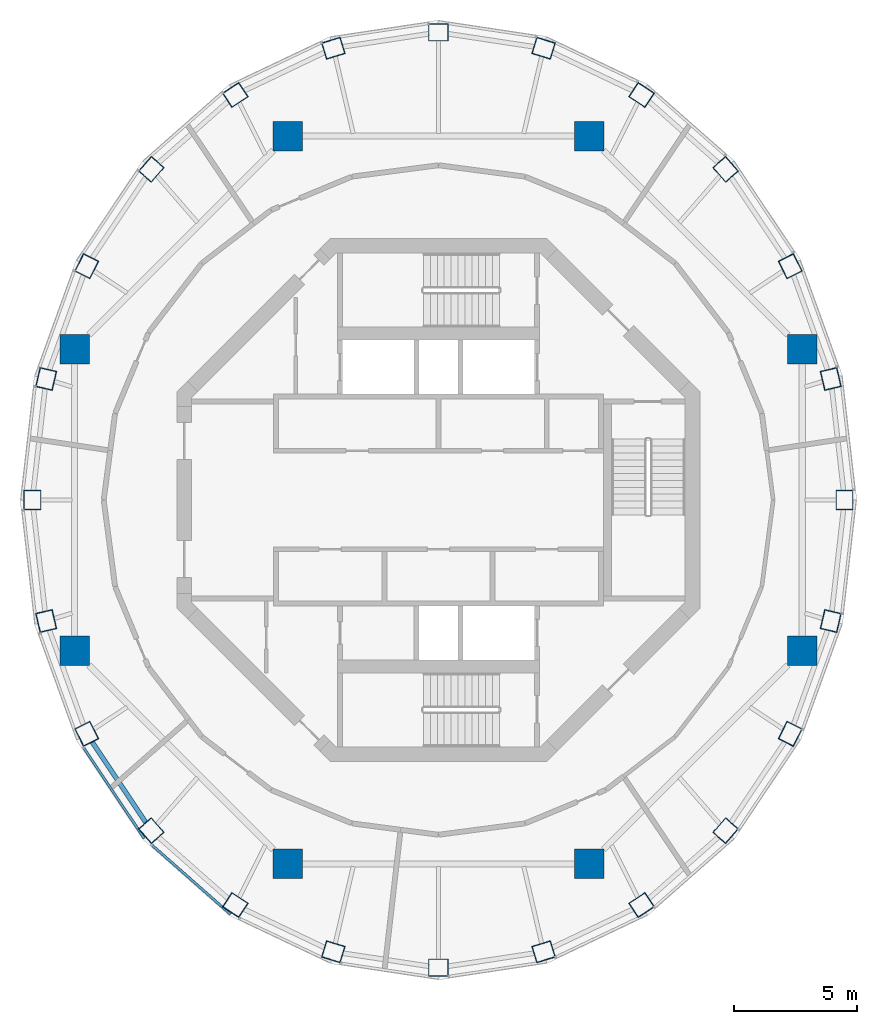
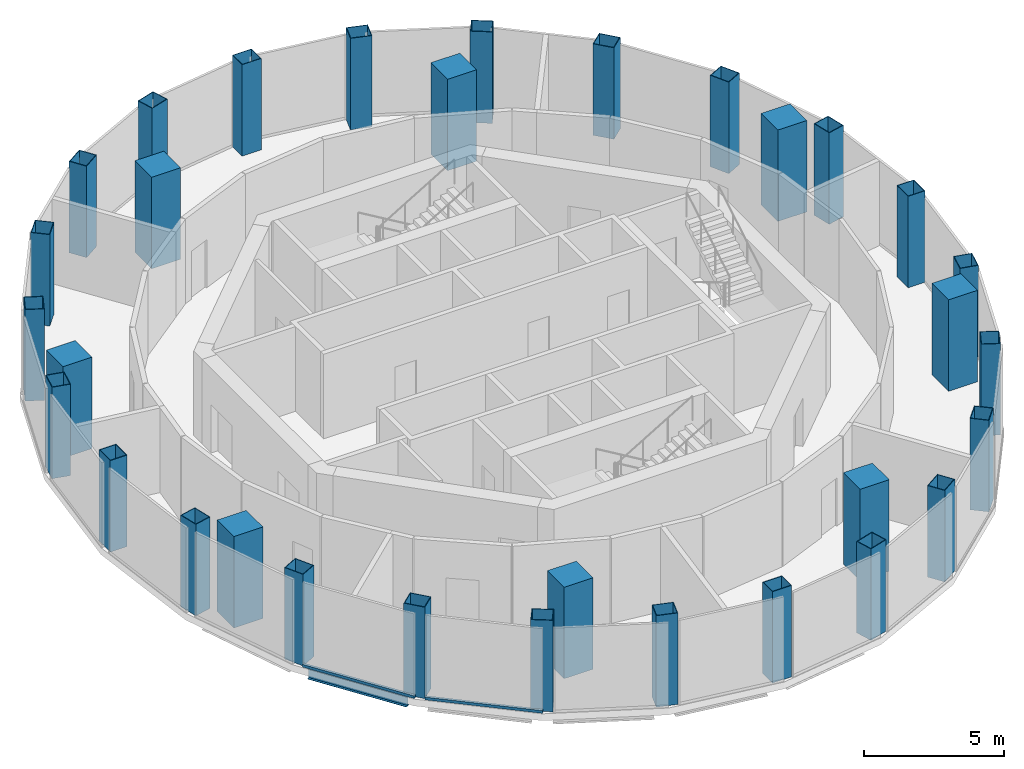
# One storey, part 1 of 11: 32 columns, 2 members, 1 beam, 2 elements without a shape of their own.
"""IFC4 building model written with IfcOpenShell, lengths in metres."""

from ifc_helpers import new_model, si_unit, direction, frame, origin, origin_2d, place, context, subcontext, project, spatial, rectangle, hollow_rectangle, i_section, extrude, material, layer, layer_set, material_profile, profile_set, type_object, element, aggregate, save


model = new_model("IFC4")

# Units and contexts
model_context = context("Model", 3, precision=1e-05, world=origin(), true_north=direction((0.0, 1.0)))
body_context = subcontext(model_context, "Body", "Model", "MODEL_VIEW")
ifc_project = project(units=[si_unit("LENGTHUNIT", "METRE"), si_unit("AREAUNIT", "SQUARE_METRE"), si_unit("VOLUMEUNIT", "CUBIC_METRE"), si_unit("PLANEANGLEUNIT", "RADIAN"), si_unit("MASSUNIT", "GRAM", prefix="KILO")], contexts=[model_context])

# Site, building, storey
site_placement = place(None, origin())
site = spatial("IfcSite", under=ifc_project, at=site_placement, CompositionType="ELEMENT")
building_placement = place(site_placement, origin())
building = spatial("IfcBuilding", under=site, at=building_placement, Name="Nagisa Residences", CompositionType="ELEMENT")
storey_placement = place(building_placement, frame((0.0, 0.0, 336.89990234375)))
storey = spatial("IfcBuildingStorey", under=building, at=storey_placement, Name="L83", CompositionType="ELEMENT", Elevation=336.89990234375)

# Columns
ifc_material_1 = material(Name="Concrete C80", Category="concrete")
ifc_material_profile_1 = material_profile(ifc_material_1, rectangle(XDim=1.199951171875, YDim=1.199951171875, at=origin_2d()), Name="C80 1200x1200")
ifc_profile_set_1 = profile_set([ifc_material_profile_1], Name="Concrete C80")
column_type_1 = type_object("IfcColumnType", Name="Inner megacolumn C80 1200x1200", PredefinedType="COLUMN", material=ifc_profile_set_1)
for number, where, z_axis, x_axis, name in (
    (1, (14.781982421875, 6.123046875, 0.0), (0.0, 0.0, 1.0), (1.0, 0.0, 0.0), "col:L83:i1"),
    (2, (6.123046875, 14.781982421875, 0.0), (0.0, 0.0, 1.0), (1.0, 0.0, 0.0), "col:L83:i2"),
    (3, (-6.123046875, 14.781982421875, 0.0), (0.0, 0.0, 1.0), (1.0, 0.0, 0.0), "col:L83:i3"),
    (4, (-14.781982421875, 6.123046875, 0.0), (0.0, 0.0, 1.0), (1.0, 0.0, 0.0), "col:L83:i4"),
    (5, (-14.781982421875, -6.123046875, 0.0), (0.0, 0.0, 1.0), (1.0, 0.0, 0.0), "col:L83:i5"),
    (6, (-6.123046875, -14.781982421875, 0.0), (0.0, 0.0, 1.0), (1.0, 0.0, 0.0), "col:L83:i6"),
    (7, (6.123046875, -14.781982421875, 0.0), (0.0, 0.0, 1.0), (1.0, 0.0, 0.0), "col:L83:i7"),
    (8, (14.781982421875, -6.123046875, 0.0), (0.0, 0.0, 1.0), (1.0, 0.0, 0.0), "col:L83:i8"),
):
    element("IfcColumn", number, at=place(storey_placement, frame(where, z_axis=z_axis, x_axis=x_axis)), inside=storey, type_object=column_type_1, Name=name, PredefinedType="COLUMN", context=body_context, shape_type="SweptSolid", body=[
        extrude(rectangle(XDim=1.199951171875, YDim=1.199951171875, at=origin_2d()), origin(), (0.0, 0.0, 1.0), 4.0),
    ])
ifc_material_2 = material(Name="Steel ASTM A572 Gr 50", Category="steel")
ifc_material_profile_2 = material_profile(ifc_material_2, hollow_rectangle(XDim=0.800048828125, YDim=0.699951171875, WallThickness=0.02490234375, at=origin_2d()), Name="BX 800x700x25")
ifc_profile_set_2 = profile_set([ifc_material_profile_2], Name="Steel ASTM A572 Gr 50")
column_type_2 = type_object("IfcColumnType", Name="Perimeter column BX 800x700x25", PredefinedType="COLUMN", material=ifc_profile_set_2)
for number, where, z_axis, x_axis, name in (
    (9, (16.5, 0.0, 0.0), (0.0, 0.0, 1.0), (0.0, 1.0, 0.0), "col:L83:p00"),
    (10, (15.937744140625, 4.91748046875, 0.0), (0.0, 0.0, 1.0), (-0.227472858308, 0.973784421077, 0.0), "col:L83:p01"),
    (11, (14.289306640625, 9.5, 0.0), (0.0, 0.0, 1.0), (-0.449592304298, 0.893233877502, 0.0), "col:L83:p02"),
    (12, (11.667236328125, 13.43505859375, 0.0), (0.0, 0.0, 1.0), (-0.657135200433, 0.753772729907, 0.0), "col:L83:p03"),
    (13, (8.25, 16.45458984375, 0.0), (0.0, 0.0, 1.0), (-0.833744136063, 0.552150989839, 0.0), "col:L83:p04"),
    (14, (4.2705078125, 18.3525390625, 0.0), (0.0, 0.0, 1.0), (-0.955869996667, 0.293789975104, 0.0), "col:L83:p05"),
    (15, (0.0, 19.0, 0.0), (0.0, 0.0, 1.0), (-1.0, 0.0, 0.0), "col:L83:p06"),
    (16, (-4.2705078125, 18.3525390625, 0.0), (0.0, 0.0, 1.0), (-0.955869996667, -0.293789975104, 0.0), "col:L83:p07"),
    (17, (-8.25, 16.45458984375, 0.0), (0.0, 0.0, 1.0), (-0.833744136063, -0.552150989839, 0.0), "col:L83:p08"),
    (18, (-11.667236328125, 13.43505859375, 0.0), (0.0, 0.0, 1.0), (-0.657135200433, -0.753772729907, 0.0), "col:L83:p09"),
    (19, (-14.289306640625, 9.5, 0.0), (0.0, 0.0, 1.0), (-0.449592304298, -0.893233877502, 0.0), "col:L83:p10"),
    (20, (-15.937744140625, 4.91748046875, 0.0), (0.0, 0.0, 1.0), (-0.227472858308, -0.973784421077, 0.0), "col:L83:p11"),
    (21, (-16.5, 0.0, 0.0), (0.0, 0.0, 1.0), (0.0, -1.0, 0.0), "col:L83:p12"),
    (22, (-15.937744140625, -4.91748046875, 0.0), (0.0, 0.0, 1.0), (0.227472858308, -0.973784421077, 0.0), "col:L83:p13"),
    (23, (-14.289306640625, -9.5, 0.0), (0.0, 0.0, 1.0), (0.449592304298, -0.893233877502, 0.0), "col:L83:p14"),
    (24, (-11.667236328125, -13.43505859375, 0.0), (0.0, 0.0, 1.0), (0.657135200433, -0.753772729907, 0.0), "col:L83:p15"),
    (25, (-8.25, -16.45458984375, 0.0), (0.0, 0.0, 1.0), (0.833744136063, -0.552150989839, 0.0), "col:L83:p16"),
    (26, (-4.2705078125, -18.3525390625, 0.0), (0.0, 0.0, 1.0), (0.955869996667, -0.293789975104, 0.0), "col:L83:p17"),
    (27, (0.0, -19.0, 0.0), (0.0, 0.0, 1.0), (1.0, 0.0, 0.0), "col:L83:p18"),
    (28, (4.2705078125, -18.3525390625, 0.0), (0.0, 0.0, 1.0), (0.955869996667, 0.293789975104, 0.0), "col:L83:p19"),
    (29, (8.25, -16.45458984375, 0.0), (0.0, 0.0, 1.0), (0.833744136063, 0.552150989839, 0.0), "col:L83:p20"),
    (30, (11.667236328125, -13.43505859375, 0.0), (0.0, 0.0, 1.0), (0.657135200433, 0.753772729907, 0.0), "col:L83:p21"),
    (31, (14.289306640625, -9.5, 0.0), (0.0, 0.0, 1.0), (0.449592304298, 0.893233877502, 0.0), "col:L83:p22"),
    (32, (15.937744140625, -4.91748046875, 0.0), (0.0, 0.0, 1.0), (0.227472858308, 0.973784421077, 0.0), "col:L83:p23"),
):
    element("IfcColumn", number, at=place(storey_placement, frame(where, z_axis=z_axis, x_axis=x_axis)), inside=storey, type_object=column_type_2, Name=name, PredefinedType="COLUMN", context=body_context, shape_type="SweptSolid", body=[
        extrude(hollow_rectangle(XDim=0.800048828125, YDim=0.699951171875, WallThickness=0.02490234375, at=origin_2d()), origin(), (0.0, 0.0, 1.0), 4.0),
    ])

# Curtain wall, member
ifc_material_3 = material(Name="Aluminium curtain wall system", Category="aluminium")
ifc_layer = layer(ifc_material_3, 0.159912109375)
ifc_layer_set = layer_set([ifc_layer], Name="CW5 CURTAIN WALL")
curtain_wall_type = type_object("IfcCurtainWallType", Name="CW5 CURTAIN WALL", PredefinedType="NOTDEFINED", material=ifc_layer_set)
curtain_wall_1_placement = place(storey_placement, origin())
curtain_wall_1 = element("IfcCurtainWall", 33, at=curtain_wall_1_placement, inside=storey, type_object=curtain_wall_type, Name="cw:CW5:L83:14", PredefinedType="NOTDEFINED")
ifc_material_4 = material(Name="Aluminium", Category="aluminium")
ifc_material_profile_3 = material_profile(ifc_material_4, rectangle(XDim=0.10009765625, YDim=0.1201171875, at=origin_2d()), Name="CW5 TRANSOM 100x120")
ifc_profile_set_3 = profile_set([ifc_material_profile_3], Name="Aluminium")
member_type = type_object("IfcMemberType", Name="CW5 TRANSOM 100x120", PredefinedType="USERDEFINED", material=ifc_profile_set_3)
member_1_placement = place(storey_placement, frame((-14.43359375, -10.0380859375, 0.06005859375), z_axis=(0.556026221044, -0.831164749921, 0.0), x_axis=(0.831164749921, 0.556026221044, 0.0)))
member_1 = element("IfcMember", 34, at=member_1_placement, type_object=member_type, Name="CW5 transom", ObjectType="TRANSOM", PredefinedType="USERDEFINED", context=body_context, shape_type="SweptSolid", body=[
    extrude(rectangle(XDim=0.10009765625, YDim=0.1201171875, at=origin_2d()), origin(), (0.0, 0.0, 1.0), 4.458984375),
])
aggregate(curtain_wall_1, [member_1])

curtain_wall_2_placement = place(storey_placement, origin())
curtain_wall_2 = element("IfcCurtainWall", 35, at=curtain_wall_2_placement, inside=storey, type_object=curtain_wall_type, Name="cw:CW5:L83:15", PredefinedType="NOTDEFINED")
member_2_placement = place(storey_placement, frame((-11.667724609375, -13.992919921875, 0.06005859375), z_axis=(0.750659327094, -0.660689469151, 0.0), x_axis=(0.660689469151, 0.750659327094, 0.0)))
member_2 = element("IfcMember", 36, at=member_2_placement, type_object=member_type, Name="CW5 transom", ObjectType="TRANSOM", PredefinedType="USERDEFINED", context=body_context, shape_type="SweptSolid", body=[
    extrude(rectangle(XDim=0.10009765625, YDim=0.1201171875, at=origin_2d()), origin(), (0.0, 0.0, 1.0), 4.290283203125),
])
aggregate(curtain_wall_2, [member_2])

# Beam
ifc_material_5 = material(Name="Steel ASTM A572 Gr 50", Category="steel")
ifc_material_profile_4 = material_profile(ifc_material_5, i_section(OverallWidth=0.18994140625, OverallDepth=0.45703125, WebThickness=0.009033203125, FlangeThickness=0.014404296875, at=origin_2d()), Name="W460x74")
ifc_profile_set_4 = profile_set([ifc_material_profile_4], Name="Steel ASTM A572 Gr 50")
beam_type = type_object("IfcBeamType", Name="Perimeter ring beam W460x74", PredefinedType="BEAM", material=ifc_profile_set_4)
beam_placement = place(storey_placement, frame((-14.0771484375, -9.818603515625, -0.5283203125), z_axis=(0.554529560082, -0.832164026497, 0.0), x_axis=(0.832164026497, 0.554529560082, 0.0)))
element("IfcBeam", 37, at=beam_placement, inside=storey, type_object=beam_type, Name="beam:L83:pb15", PredefinedType="BEAM", context=body_context, shape_type="SweptSolid", body=[
    extrude(i_section(OverallWidth=0.18994140625, OverallDepth=0.45703125, WebThickness=0.009033203125, FlangeThickness=0.014404296875, at=origin_2d()), origin(), (0.0, 0.0, 1.0), 3.96240234375),
])

save(model, "model.ifc")
